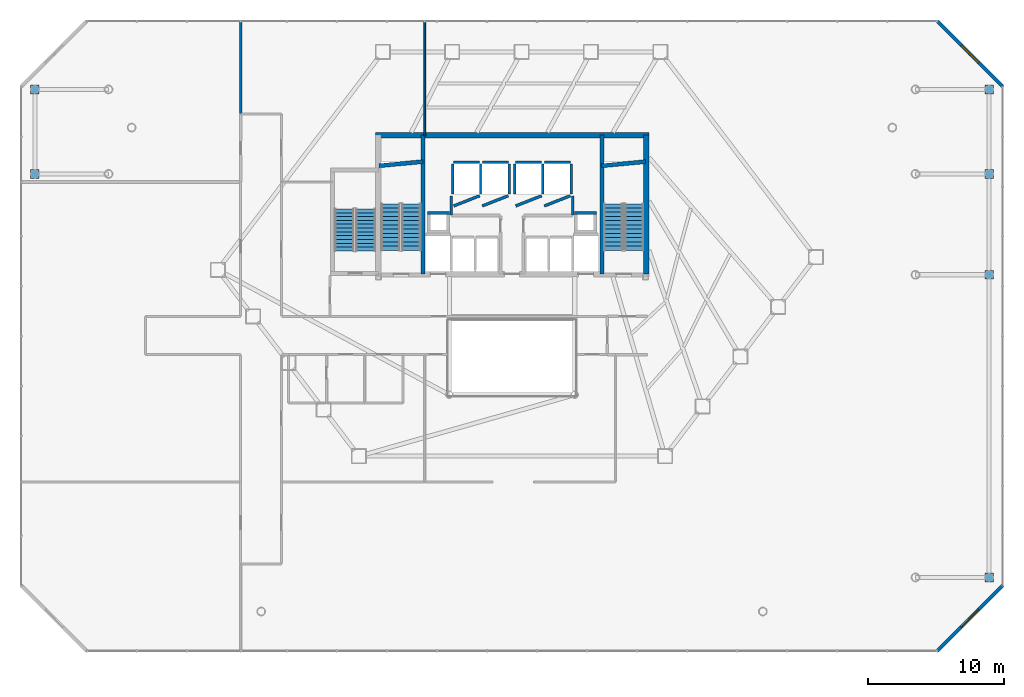
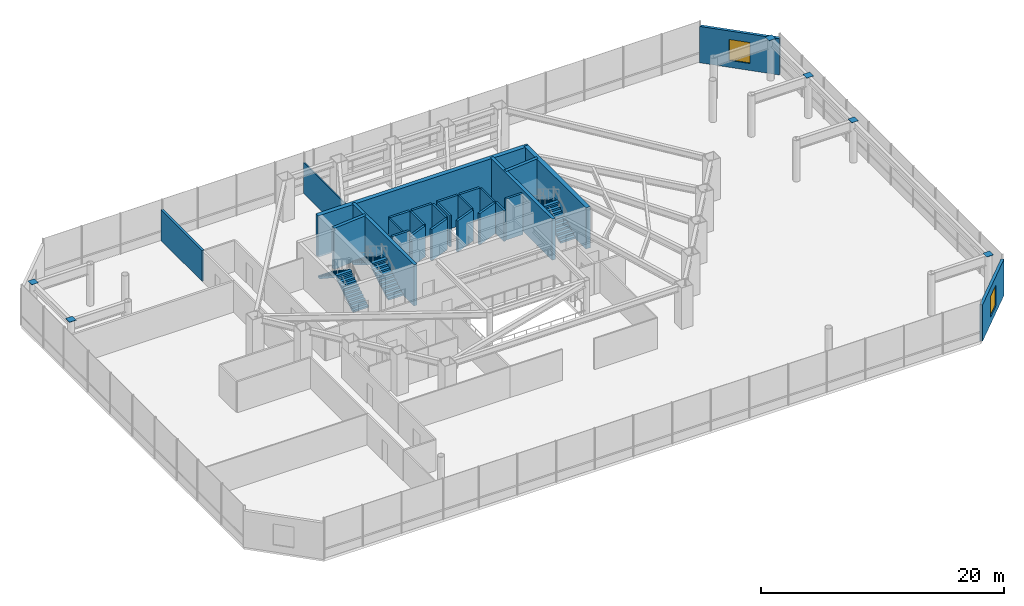
# One storey, part 36 of 37: 28 walls, 6 discrete accessories, 6 stair flights, 2 windows, 2 openings, 3 elements without a shape of their own.
"""IFC4 building model written with IfcOpenShell, lengths in metres."""

from ifc_helpers import new_model, si_unit, direction, frame, frame_2d, origin, origin_2d, place, context, subcontext, project, spatial, polyline, rectangle, outline, extrude, material, layer, layer_set, type_object, element, fill, aggregate, save


model = new_model("IFC4")

# Units and contexts
model_context = context("Model", 3, precision=1e-05, world=origin(), true_north=direction((0.0, 1.0)))
body_context = subcontext(model_context, "Body", "Model", "MODEL_VIEW")
ifc_project = project(units=[si_unit("LENGTHUNIT", "METRE"), si_unit("AREAUNIT", "SQUARE_METRE"), si_unit("VOLUMEUNIT", "CUBIC_METRE"), si_unit("PLANEANGLEUNIT", "RADIAN"), si_unit("MASSUNIT", "GRAM", prefix="KILO")], contexts=[model_context])

# Site, building, storey
site_placement = place(None, origin())
site = spatial("IfcSite", under=ifc_project, at=site_placement, CompositionType="ELEMENT")
building_placement = place(site_placement, origin())
building = spatial("IfcBuilding", under=site, at=building_placement, Name="Zarrinselat Tower", CompositionType="ELEMENT")
storey_placement = place(building_placement, frame((0.0, 0.0, 13.93994140625)))
storey = spatial("IfcBuildingStorey", under=building, at=storey_placement, Name="L03", CompositionType="ELEMENT", Elevation=13.93994140625)

# Wall, opening, window
ifc_material_1 = material(Name="Honed Cream Travertine Stone", Category="masonry")
ifc_layer_1 = layer(ifc_material_1, 0.260009765625)
ifc_layer_set_1 = layer_set([ifc_layer_1], Name="Honed Cream Travertine Stone")
wall_type_1 = type_object("IfcWallType", Name="WAL-EXT-STONE-260", PredefinedType="STANDARD", material=ifc_layer_set_1)
wall_1_placement = place(storey_placement, frame((69.60009765625, 5.60009765625, 0.0), z_axis=(0.0, 0.0, 1.0), x_axis=(0.707106781187, 0.707106781187, 0.0)))
wall_1 = element("IfcWall", 1, at=wall_1_placement, inside=storey, type_object=wall_type_1, Name="L03 Chamfered Stone Corner Wall 1", PredefinedType="STANDARD", context=body_context, shape_type="SweptSolid", body=[
    extrude(rectangle(XDim=6.787841796875, YDim=0.260009765625, at=frame_2d((3.39404296875, 0.0))), origin(), (0.0, 0.0, 1.0), 3.650146484375),
])
opening_1_placement = place(wall_1_placement, frame((2.494140625, 0.0, 0.699951171875)))
opening_1 = element("IfcOpeningElement", 2, at=opening_1_placement, cuts=wall_1, Name="Opening WN-2", PredefinedType="OPENING", context=body_context, shape_type="SweptSolid", body=[
    extrude(rectangle(XDim=1.800048828125, YDim=2.10009765625, at=frame_2d((0.89990234375, 1.050048828125))), frame((0.0, 0.139892578125, 0.0), z_axis=(0.0, -1.0, 0.0), x_axis=(1.0, 0.0, 0.0)), (0.0, 0.0, 1.0), 0.280029296875),
])
ifc_material_2 = material(Name="Double Low-E Laminated Solar Glass", Category="glass")
window_type = type_object("IfcWindowType", Name="WIN-GALLERY-1800", PartitioningType="SINGLE_PANEL", PredefinedType="WINDOW", material=ifc_material_2)
window_1_placement = place(opening_1_placement, origin())
window_1 = element("IfcWindow", 3, at=window_1_placement, inside=storey, type_object=window_type, Name="L03 Corner Gallery Window 1", OverallHeight=2.10009765625, OverallWidth=1.800048828125, PartitioningType="SINGLE_PANEL", PredefinedType="WINDOW", context=body_context, shape_type="SweptSolid", body=[
    extrude(rectangle(XDim=1.800048828125, YDim=2.10009765625, at=frame_2d((0.89990234375, 1.050048828125))), frame((0.0, 0.030029296875, 0.0), z_axis=(0.0, -1.0, 0.0), x_axis=(1.0, 0.0, 0.0)), (0.0, 0.0, 1.0), 0.06005859375),
])
fill(opening_1, window_1)

wall_2_placement = place(storey_placement, frame((69.60009765625, 51.800048828125, 0.0), z_axis=(0.0, 0.0, 1.0), x_axis=(0.707088798028, -0.707124763888, 0.0)))
wall_2 = element("IfcWall", 4, at=wall_2_placement, inside=storey, type_object=wall_type_1, Name="L03 Chamfered Stone Corner Wall 3", PredefinedType="STANDARD", context=body_context, shape_type="SweptSolid", body=[
    extrude(rectangle(XDim=6.7880859375, YDim=0.260009765625, at=frame_2d((3.39404296875, 0.0))), origin(), (0.0, 0.0, 1.0), 3.650146484375),
])
opening_2_placement = place(wall_2_placement, frame((2.494140625, 0.0, 0.699951171875)))
opening_2 = element("IfcOpeningElement", 5, at=opening_2_placement, cuts=wall_2, Name="Opening WN-2", PredefinedType="OPENING", context=body_context, shape_type="SweptSolid", body=[
    extrude(rectangle(XDim=1.800048828125, YDim=2.10009765625, at=frame_2d((0.89990234375, 1.050048828125))), frame((0.0, 0.139892578125, 0.0), z_axis=(0.0, -1.0, 0.0), x_axis=(1.0, 0.0, 0.0)), (0.0, 0.0, 1.0), 0.280029296875),
])
window_2_placement = place(opening_2_placement, origin())
window_2 = element("IfcWindow", 6, at=window_2_placement, inside=storey, type_object=window_type, Name="L03 Corner Gallery Window 3", OverallHeight=2.10009765625, OverallWidth=1.800048828125, PartitioningType="SINGLE_PANEL", PredefinedType="WINDOW", context=body_context, shape_type="SweptSolid", body=[
    extrude(rectangle(XDim=1.800048828125, YDim=2.10009765625, at=frame_2d((0.89990234375, 1.050048828125))), frame((0.0, 0.030029296875, 0.0), z_axis=(0.0, -1.0, 0.0), x_axis=(1.0, 0.0, 0.0)), (0.0, 0.0, 1.0), 0.06005859375),
])
fill(opening_2, window_2)

# Walls
ifc_material_3 = material(Name="Concrete C40/50", Category="concrete")
ifc_layer_2 = layer(ifc_material_3, 0.199951171875)
ifc_layer_set_2 = layer_set([ifc_layer_2], Name="Concrete C40/50")
wall_type_2 = type_object("IfcWallType", Name="WAL-PART-PLANT", PredefinedType="PARTITIONING", material=ifc_layer_set_2)
for number, where, z_axis, x_axis, name in (
    (7, (33.949951171875, 37.570068359375, 0.0), (0.0, 0.0, 1.0), (0.0, 1.0, 0.0), "L03 Partition Wall 3"),
    (8, (42.85009765625, 37.570068359375, 0.0), (0.0, 0.0, 1.0), (0.0, 1.0, 0.0), "L03 Partition Wall 4"),
):
    element("IfcWall", number, at=place(storey_placement, frame(where, z_axis=z_axis, x_axis=x_axis)), inside=storey, type_object=wall_type_2, Name=name, PredefinedType="PARTITIONING", context=body_context, shape_type="SweptSolid", body=[
        extrude(rectangle(XDim=1.4150390625, YDim=0.199951171875, at=frame_2d((0.70751953125, 0.0))), origin(), (0.0, 0.0, 1.0), 3.09716796875),
    ])
wall_3_placement = place(storey_placement, frame((18.5, 45.02001953125, 0.0), z_axis=(0.0, 0.0, 1.0), x_axis=(0.0, 1.0, 0.0)))
element("IfcWall", 9, at=wall_3_placement, inside=storey, type_object=wall_type_2, Name="L03 Partition Wall 53", PredefinedType="PARTITIONING", context=body_context, shape_type="SweptSolid", body=[
    extrude(rectangle(XDim=6.764892578125, YDim=0.199951171875, at=frame_2d((3.38232421875, 0.0))), origin(), (0.0, 0.0, 1.0), 3.09716796875),
])
ifc_material_4 = material(Name="Fire-Rated Gypsum Board Partition", Category="gypsum")
ifc_layer_3 = layer(ifc_material_4, 0.1201171875)
ifc_layer_set_3 = layer_set([ifc_layer_3], Name="Fire-Rated Gypsum Board Partition")
wall_type_3 = type_object("IfcWallType", Name="WAL-PART-STD", PredefinedType="PARTITIONING", material=ifc_layer_set_3)
wall_4_placement = place(storey_placement, frame((32.0, 43.4150390625, 0.0), z_axis=(0.0, 0.0, 1.0), x_axis=(0.0, 1.0, 0.0)))
element("IfcWall", 10, at=wall_4_placement, inside=storey, type_object=wall_type_3, Name="L03 Partition Wall 48", PredefinedType="PARTITIONING", context=body_context, shape_type="SweptSolid", body=[
    extrude(rectangle(XDim=8.369873046875, YDim=0.1201171875, at=frame_2d((4.18505859375, 0.0))), origin(), (0.0, 0.0, 1.0), 3.09716796875),
])
ifc_material_5 = material(Name="Concrete C40/50", Category="concrete")
ifc_layer_4 = layer(ifc_material_5, 0.2099609375)
ifc_layer_set_4 = layer_set([ifc_layer_4], Name="Concrete C40/50")
wall_type_4 = type_object("IfcWallType", Name="WAL-SHAFT-210", PredefinedType="SOLIDWALL", material=ifc_layer_set_4)
wall_5_placement = place(storey_placement, frame((34.1201171875, 38.25, 0.0), z_axis=(0.0, 0.0, 1.0), x_axis=(0.930804993012, 0.36551616241, 0.0)))
element("IfcWall", 11, at=wall_5_placement, inside=storey, type_object=wall_type_4, Name="L03 Lift PL1 Front Shaft Wall", PredefinedType="SOLIDWALL", context=body_context, shape_type="SweptSolid", body=[
    extrude(rectangle(XDim=2.052001953125, YDim=0.2099609375, at=frame_2d((1.02587890625, 0.0))), origin(), (0.0, 0.0, 1.0), 3.112060546875),
])
wall_6_placement = place(storey_placement, frame((34.1201171875, 41.455078125, 0.0), z_axis=(0.0, 0.0, 1.0), x_axis=(1.0, 0.0, 0.0)))
element("IfcWall", 12, at=wall_6_placement, inside=storey, type_object=wall_type_4, Name="L03 Lift PL1 Rear Shaft Wall", PredefinedType="SOLIDWALL", context=body_context, shape_type="SweptSolid", body=[
    extrude(rectangle(XDim=1.909912109375, YDim=0.2099609375, at=frame_2d((0.955078125, 0.0))), origin(), (0.0, 0.0, 1.0), 3.112060546875),
])
for number, where, z_axis, x_axis, name in (
    (13, (34.050048828125, 39.1201171875, 0.0), (0.0, 0.0, 1.0), (0.0, 1.0, 0.0), "L03 Lift PL1 W Shaft Wall"),
    (14, (36.10009765625, 39.1201171875, 0.0), (0.0, 0.0, 1.0), (0.0, 1.0, 0.0), "L03 Lift PL1 E Shaft Wall"),
):
    element("IfcWall", number, at=place(storey_placement, frame(where, z_axis=z_axis, x_axis=x_axis)), inside=storey, type_object=wall_type_4, Name=name, PredefinedType="SOLIDWALL", context=body_context, shape_type="SweptSolid", body=[
        extrude(rectangle(XDim=2.2099609375, YDim=0.159912109375, at=frame_2d((1.10498046875, 0.0))), origin(), (0.0, 0.0, 1.0), 3.112060546875),
    ])
wall_7_placement = place(storey_placement, frame((36.219970703125, 38.25, 0.0), z_axis=(0.0, 0.0, 1.0), x_axis=(0.930804993012, 0.36551616241, 0.0)))
element("IfcWall", 15, at=wall_7_placement, inside=storey, type_object=wall_type_4, Name="L03 Lift PL2 Front Shaft Wall", PredefinedType="SOLIDWALL", context=body_context, shape_type="SweptSolid", body=[
    extrude(rectangle(XDim=2.052001953125, YDim=0.2099609375, at=frame_2d((1.02587890625, 0.0))), origin(), (0.0, 0.0, 1.0), 3.112060546875),
])
wall_8_placement = place(storey_placement, frame((36.219970703125, 41.455078125, 0.0), z_axis=(0.0, 0.0, 1.0), x_axis=(1.0, 0.0, 0.0)))
element("IfcWall", 16, at=wall_8_placement, inside=storey, type_object=wall_type_4, Name="L03 Lift PL2 Rear Shaft Wall", PredefinedType="SOLIDWALL", context=body_context, shape_type="SweptSolid", body=[
    extrude(rectangle(XDim=1.909912109375, YDim=0.2099609375, at=frame_2d((0.955078125, 0.0))), origin(), (0.0, 0.0, 1.0), 3.112060546875),
])
wall_9_placement = place(storey_placement, frame((38.199951171875, 39.1201171875, 0.0), z_axis=(0.0, 0.0, 1.0), x_axis=(0.0, 1.0, 0.0)))
element("IfcWall", 17, at=wall_9_placement, inside=storey, type_object=wall_type_4, Name="L03 Lift PL2 E Shaft Wall", PredefinedType="SOLIDWALL", context=body_context, shape_type="SweptSolid", body=[
    extrude(rectangle(XDim=2.2099609375, YDim=0.159912109375, at=frame_2d((1.10498046875, 0.0))), origin(), (0.0, 0.0, 1.0), 3.112060546875),
])
wall_10_placement = place(storey_placement, frame((38.669921875, 38.25, 0.0), z_axis=(0.0, 0.0, 1.0), x_axis=(0.930820886763, 0.3654756856, 0.0)))
element("IfcWall", 18, at=wall_10_placement, inside=storey, type_object=wall_type_4, Name="L03 Lift PL3 Front Shaft Wall", PredefinedType="SOLIDWALL", context=body_context, shape_type="SweptSolid", body=[
    extrude(rectangle(XDim=2.052001953125, YDim=0.2099609375, at=frame_2d((1.02587890625, 0.0))), origin(), (0.0, 0.0, 1.0), 3.112060546875),
])
wall_11_placement = place(storey_placement, frame((38.669921875, 41.455078125, 0.0), z_axis=(0.0, 0.0, 1.0), x_axis=(1.0, 0.0, 0.0)))
element("IfcWall", 19, at=wall_11_placement, inside=storey, type_object=wall_type_4, Name="L03 Lift PL3 Rear Shaft Wall", PredefinedType="SOLIDWALL", context=body_context, shape_type="SweptSolid", body=[
    extrude(rectangle(XDim=1.91015625, YDim=0.2099609375, at=frame_2d((0.955078125, 0.0))), origin(), (0.0, 0.0, 1.0), 3.112060546875),
])
for number, where, z_axis, x_axis, name in (
    (20, (38.60009765625, 39.1201171875, 0.0), (0.0, 0.0, 1.0), (0.0, 1.0, 0.0), "L03 Lift PL3 W Shaft Wall"),
    (21, (40.64990234375, 39.1201171875, 0.0), (0.0, 0.0, 1.0), (0.0, 1.0, 0.0), "L03 Lift PL3 E Shaft Wall"),
):
    element("IfcWall", number, at=place(storey_placement, frame(where, z_axis=z_axis, x_axis=x_axis)), inside=storey, type_object=wall_type_4, Name=name, PredefinedType="SOLIDWALL", context=body_context, shape_type="SweptSolid", body=[
        extrude(rectangle(XDim=2.2099609375, YDim=0.159912109375, at=frame_2d((1.10498046875, 0.0))), origin(), (0.0, 0.0, 1.0), 3.112060546875),
    ])
wall_12_placement = place(storey_placement, frame((40.77001953125, 38.25, 0.0), z_axis=(0.0, 0.0, 1.0), x_axis=(0.930804993012, 0.36551616241, 0.0)))
element("IfcWall", 22, at=wall_12_placement, inside=storey, type_object=wall_type_4, Name="L03 Lift PL4 Front Shaft Wall", PredefinedType="SOLIDWALL", context=body_context, shape_type="SweptSolid", body=[
    extrude(rectangle(XDim=2.052001953125, YDim=0.2099609375, at=frame_2d((1.02587890625, 0.0))), origin(), (0.0, 0.0, 1.0), 3.112060546875),
])
wall_13_placement = place(storey_placement, frame((40.77001953125, 41.455078125, 0.0), z_axis=(0.0, 0.0, 1.0), x_axis=(1.0, 0.0, 0.0)))
element("IfcWall", 23, at=wall_13_placement, inside=storey, type_object=wall_type_4, Name="L03 Lift PL4 Rear Shaft Wall", PredefinedType="SOLIDWALL", context=body_context, shape_type="SweptSolid", body=[
    extrude(rectangle(XDim=1.909912109375, YDim=0.2099609375, at=frame_2d((0.955078125, 0.0))), origin(), (0.0, 0.0, 1.0), 3.112060546875),
])
wall_14_placement = place(storey_placement, frame((42.75, 39.1201171875, 0.0), z_axis=(0.0, 0.0, 1.0), x_axis=(0.0, 1.0, 0.0)))
element("IfcWall", 24, at=wall_14_placement, inside=storey, type_object=wall_type_4, Name="L03 Lift PL4 E Shaft Wall", PredefinedType="SOLIDWALL", context=body_context, shape_type="SweptSolid", body=[
    extrude(rectangle(XDim=2.2099609375, YDim=0.159912109375, at=frame_2d((1.10498046875, 0.0))), origin(), (0.0, 0.0, 1.0), 3.112060546875),
])
for number, where, z_axis, x_axis, name in (
    (25, (32.2099609375, 37.7451171875, 0.0), (0.0, 0.0, 1.0), (1.0, 0.0, 0.0), "L03 Core Riser RSR-W N Shaft Wall"),
    (26, (42.989990234375, 37.7451171875, 0.0), (0.0, 0.0, 1.0), (1.0, 0.0, 0.0), "L03 Core Riser RSR-E N Shaft Wall"),
):
    element("IfcWall", number, at=place(storey_placement, frame(where, z_axis=z_axis, x_axis=x_axis)), inside=storey, type_object=wall_type_4, Name=name, PredefinedType="SOLIDWALL", context=body_context, shape_type="SweptSolid", body=[
        extrude(rectangle(XDim=1.60009765625, YDim=0.2099609375, at=frame_2d((0.800048828125, 0.0))), origin(), (0.0, 0.0, 1.0), 4.14013671875),
    ])
ifc_material_6 = material(Name="Concrete C40/50", Category="concrete")
ifc_layer_5 = layer(ifc_material_6, 0.300048828125)
ifc_layer_set_5 = layer_set([ifc_layer_5], Name="Concrete C40/50")
wall_type_5 = type_object("IfcWallType", Name="WAL-SHEAR-300", PredefinedType="SHEAR", material=ifc_layer_set_5)
for number, where, z_axis, x_axis, name in (
    (27, (31.8701171875, 33.25, 0.0), (0.0, 0.0, 1.0), (0.0, 1.0, 0.0), "L03 Core Shear Wall ST1E"),
    (28, (44.989990234375, 33.25, 0.0), (0.0, 0.0, 1.0), (0.0, 1.0, 0.0), "L03 Core Shear Wall ST2W"),
):
    element("IfcWall", number, at=place(storey_placement, frame(where, z_axis=z_axis, x_axis=x_axis)), inside=storey, type_object=wall_type_5, Name=name, PredefinedType="SHEAR", context=body_context, shape_type="SweptSolid", body=[
        extrude(rectangle(XDim=10.199951171875, YDim=0.300048828125, at=frame_2d((5.10009765625, 0.0))), origin(), (0.0, 0.0, 1.0), 4.14013671875),
    ])
wall_15_placement = place(storey_placement, frame((28.639892578125, 41.199951171875, 0.0), z_axis=(0.0, 0.0, 1.0), x_axis=(0.995687118776, 0.092774789157, 0.0)))
element("IfcWall", 29, at=wall_15_placement, inside=storey, type_object=wall_type_5, Name="L03 Stair 1 North Shaft Wall", PredefinedType="SHEAR", context=body_context, shape_type="SweptSolid", body=[
    extrude(rectangle(XDim=3.234130859375, YDim=0.300048828125, at=frame_2d((1.6171875, 0.0))), origin(), (0.0, 0.0, 1.0), 4.14013671875),
])
wall_16_placement = place(storey_placement, frame((44.97998046875, 41.199951171875, 0.0), z_axis=(0.0, 0.0, 1.0), x_axis=(0.995686468965, 0.09278176286, 0.0)))
element("IfcWall", 30, at=wall_16_placement, inside=storey, type_object=wall_type_5, Name="L03 Stair 2 North Shaft Wall", PredefinedType="SHEAR", context=body_context, shape_type="SweptSolid", body=[
    extrude(rectangle(XDim=3.23388671875, YDim=0.300048828125, at=frame_2d((1.616943359375, 0.0))), origin(), (0.0, 0.0, 1.0), 4.14013671875),
])
ifc_material_7 = material(Name="Concrete C60/75", Category="concrete")
ifc_layer_6 = layer(ifc_material_7, 0.39990234375)
ifc_layer_set_6 = layer_set([ifc_layer_6], Name="Concrete C60/75")
wall_type_6 = type_object("IfcWallType", Name="WAL-SHEAR-400", PredefinedType="SHEAR", material=ifc_layer_set_6)
wall_17_placement = place(storey_placement, frame((28.39990234375, 43.449951171875, 0.0), z_axis=(0.0, 0.0, 1.0), x_axis=(1.0, 0.0, 0.0)))
element("IfcWall", 31, at=wall_17_placement, inside=storey, type_object=wall_type_6, Name="L03 North Core Shear Wall", PredefinedType="SHEAR", context=body_context, shape_type="SweptSolid", body=[
    extrude(rectangle(XDim=20.06005859375, YDim=0.39990234375, at=frame_2d((10.030029296875, 0.0))), origin(), (0.0, 0.0, 1.0), 4.14013671875),
])
wall_18_placement = place(storey_placement, frame((48.260009765625, 33.25, 0.0), z_axis=(0.0, 0.0, 1.0), x_axis=(0.0, 1.0, 0.0)))
element("IfcWall", 32, at=wall_18_placement, inside=storey, type_object=wall_type_6, Name="L03 Core Shear Wall E", PredefinedType="SHEAR", context=body_context, shape_type="SweptSolid", body=[
    extrude(rectangle(XDim=10.199951171875, YDim=0.39990234375, at=frame_2d((5.10009765625, 0.0))), origin(), (0.0, 0.0, 1.0), 4.14013671875),
])

# Stair, stair flights
ifc_material_8 = material(Name="Concrete C40/50", Category="concrete")
stair_type_1 = type_object("IfcStairType", Name="STR-CORE-145", PredefinedType="HALF_TURN_STAIR", material=ifc_material_8)
stair_1_placement = place(storey_placement, origin())
stair_1 = element("IfcStair", 33, at=stair_1_placement, inside=storey, type_object=stair_type_1, Name="L03 Podium & Mid-Tower Exit Stair 3", PredefinedType="HALF_TURN_STAIR")
ifc_material_9 = material(Name="Concrete C40/50", Category="concrete")
stair_flight_type_1 = type_object("IfcStairFlightType", Name="STR-FLT-145", PredefinedType="STRAIGHT", material=ifc_material_9)
stair_flight_1_placement = place(storey_placement, frame((27.675048828125, 34.949951171875, 0.0), z_axis=(0.0, 0.0, 1.0), x_axis=(0.0, 1.0, 0.0)))
stair_flight_1 = element("IfcStairFlight", 34, at=stair_flight_1_placement, type_object=stair_flight_type_1, Name="ST-3 flight 1", NumberOfRisers=12, NumberOfTreads=11, PredefinedType="STRAIGHT", RiserHeight=0.184166667, TreadLength=0.28, context=body_context, shape_type="SweptSolid", body=[
    extrude(outline(polyline([(0.0, 0.0), (0.0, 0.18408203125), (0.280029296875, 0.18408203125), (0.280029296875, 0.368408203125), (0.56005859375, 0.368408203125), (0.56005859375, 0.552490234375), (0.840087890625, 0.552490234375), (0.840087890625, 0.736572265625), (1.1201171875, 0.736572265625), (1.1201171875, 0.9208984375), (1.39990234375, 0.9208984375), (1.39990234375, 1.10498046875), (1.679931640625, 1.10498046875), (1.679931640625, 1.2890625), (1.9599609375, 1.2890625), (1.9599609375, 1.473388671875), (2.239990234375, 1.473388671875), (2.239990234375, 1.657470703125), (2.52001953125, 1.657470703125), (2.52001953125, 1.841552734375), (2.800048828125, 1.841552734375), (2.800048828125, 2.02587890625), (3.080078125, 2.02587890625), (3.080078125, 2.2099609375), (3.080078125, 1.846435546875), (0.272705078125, 0.0), (0.0, 0.0)])), frame((0.0, 0.72509765625, 0.0), z_axis=(0.0, -1.0, 0.0), x_axis=(1.0, 0.0, 0.0)), (0.0, 0.0, 1.0), 1.449951171875),
])
stair_flight_2_placement = place(storey_placement, frame((26.10498046875, 38.030029296875, 2.2099609375), z_axis=(0.0, 0.0, 1.0), x_axis=(0.0, -1.0, 0.0)))
stair_flight_2 = element("IfcStairFlight", 35, at=stair_flight_2_placement, type_object=stair_flight_type_1, Name="ST-3 flight 2", NumberOfRisers=12, NumberOfTreads=11, PredefinedType="STRAIGHT", RiserHeight=0.184166667, TreadLength=0.28, context=body_context, shape_type="SweptSolid", body=[
    extrude(outline(polyline([(0.0, 0.0), (0.0, 0.18408203125), (0.280029296875, 0.18408203125), (0.280029296875, 0.368408203125), (0.56005859375, 0.368408203125), (0.56005859375, 0.552490234375), (0.840087890625, 0.552490234375), (0.840087890625, 0.736572265625), (1.1201171875, 0.736572265625), (1.1201171875, 0.9208984375), (1.39990234375, 0.9208984375), (1.39990234375, 1.10498046875), (1.679931640625, 1.10498046875), (1.679931640625, 1.2890625), (1.9599609375, 1.2890625), (1.9599609375, 1.473388671875), (2.239990234375, 1.473388671875), (2.239990234375, 1.657470703125), (2.52001953125, 1.657470703125), (2.52001953125, 1.841552734375), (2.800048828125, 1.841552734375), (2.800048828125, 2.02587890625), (3.080078125, 2.02587890625), (3.080078125, 2.2099609375), (3.080078125, 1.846435546875), (0.272705078125, 0.0), (0.0, 0.0)])), frame((0.0, 0.72509765625, 0.0), z_axis=(0.0, -1.0, 0.0), x_axis=(1.0, 0.0, 0.0)), (0.0, 0.0, 1.0), 1.449951171875),
])
aggregate(stair_1, [stair_flight_1, stair_flight_2])

ifc_material_10 = material(Name="Concrete C40/50", Category="concrete")
stair_type_2 = type_object("IfcStairType", Name="STR-CORE-155", PredefinedType="HALF_TURN_STAIR", material=ifc_material_10)
stair_2_placement = place(storey_placement, origin())
stair_2 = element("IfcStair", 36, at=stair_2_placement, inside=storey, type_object=stair_type_2, Name="L03 Core Exit Stair 1", PredefinedType="HALF_TURN_STAIR")
ifc_material_11 = material(Name="Concrete C40/50", Category="concrete")
stair_flight_type_2 = type_object("IfcStairFlightType", Name="STR-FLT-155", PredefinedType="STRAIGHT", material=ifc_material_11)
stair_flight_3_placement = place(storey_placement, frame((31.02001953125, 35.0, 0.0), z_axis=(0.0, 0.0, 1.0), x_axis=(0.0, 1.0, 0.0)))
stair_flight_3 = element("IfcStairFlight", 37, at=stair_flight_3_placement, type_object=stair_flight_type_2, Name="ST-1 flight 1", NumberOfRisers=12, NumberOfTreads=11, PredefinedType="STRAIGHT", RiserHeight=0.184166667, TreadLength=0.31, context=body_context, shape_type="SweptSolid", body=[
    extrude(outline(polyline([(0.0, 0.0), (0.0, 0.18408203125), (0.31005859375, 0.18408203125), (0.31005859375, 0.368408203125), (0.6201171875, 0.368408203125), (0.6201171875, 0.552490234375), (0.929931640625, 0.552490234375), (0.929931640625, 0.736572265625), (1.239990234375, 0.736572265625), (1.239990234375, 0.9208984375), (1.550048828125, 0.9208984375), (1.550048828125, 1.10498046875), (1.860107421875, 1.10498046875), (1.860107421875, 1.2890625), (2.169921875, 1.2890625), (2.169921875, 1.473388671875), (2.47998046875, 1.473388671875), (2.47998046875, 1.657470703125), (2.7900390625, 1.657470703125), (2.7900390625, 1.841552734375), (3.10009765625, 1.841552734375), (3.10009765625, 2.02587890625), (3.409912109375, 2.02587890625), (3.409912109375, 2.2099609375), (3.409912109375, 1.8515625), (0.29345703125, 0.0), (0.0, 0.0)])), frame((0.0, 0.699951171875, 0.0), z_axis=(0.0, -1.0, 0.0), x_axis=(1.0, 0.0, 0.0)), (0.0, 0.0, 1.0), 1.39990234375),
])
stair_flight_4_placement = place(storey_placement, frame((29.5, 38.409912109375, 2.2099609375), z_axis=(0.0, 0.0, 1.0), x_axis=(0.0, -1.0, 0.0)))
stair_flight_4 = element("IfcStairFlight", 38, at=stair_flight_4_placement, type_object=stair_flight_type_2, Name="ST-1 flight 2", NumberOfRisers=12, NumberOfTreads=11, PredefinedType="STRAIGHT", RiserHeight=0.184166667, TreadLength=0.31, context=body_context, shape_type="SweptSolid", body=[
    extrude(outline(polyline([(0.0, 0.0), (0.0, 0.18408203125), (0.31005859375, 0.18408203125), (0.31005859375, 0.368408203125), (0.6201171875, 0.368408203125), (0.6201171875, 0.552490234375), (0.929931640625, 0.552490234375), (0.929931640625, 0.736572265625), (1.239990234375, 0.736572265625), (1.239990234375, 0.9208984375), (1.550048828125, 0.9208984375), (1.550048828125, 1.10498046875), (1.860107421875, 1.10498046875), (1.860107421875, 1.2890625), (2.169921875, 1.2890625), (2.169921875, 1.473388671875), (2.47998046875, 1.473388671875), (2.47998046875, 1.657470703125), (2.7900390625, 1.657470703125), (2.7900390625, 1.841552734375), (3.10009765625, 1.841552734375), (3.10009765625, 2.02587890625), (3.409912109375, 2.02587890625), (3.409912109375, 2.2099609375), (3.409912109375, 1.8515625), (0.29345703125, 0.0), (0.0, 0.0)])), frame((0.0, 0.699951171875, 0.0), z_axis=(0.0, -1.0, 0.0), x_axis=(1.0, 0.0, 0.0)), (0.0, 0.0, 1.0), 1.39990234375),
])
aggregate(stair_2, [stair_flight_3, stair_flight_4])

stair_3_placement = place(storey_placement, origin())
stair_3 = element("IfcStair", 39, at=stair_3_placement, inside=storey, type_object=stair_type_2, Name="L03 Core Exit Stair 2", PredefinedType="HALF_TURN_STAIR")
stair_flight_5_placement = place(storey_placement, frame((47.360107421875, 35.0, 0.0), z_axis=(0.0, 0.0, 1.0), x_axis=(0.0, 1.0, 0.0)))
stair_flight_5 = element("IfcStairFlight", 40, at=stair_flight_5_placement, type_object=stair_flight_type_2, Name="ST-2 flight 1", NumberOfRisers=12, NumberOfTreads=11, PredefinedType="STRAIGHT", RiserHeight=0.184166667, TreadLength=0.31, context=body_context, shape_type="SweptSolid", body=[
    extrude(outline(polyline([(0.0, 0.0), (0.0, 0.18408203125), (0.31005859375, 0.18408203125), (0.31005859375, 0.368408203125), (0.6201171875, 0.368408203125), (0.6201171875, 0.552490234375), (0.929931640625, 0.552490234375), (0.929931640625, 0.736572265625), (1.239990234375, 0.736572265625), (1.239990234375, 0.9208984375), (1.550048828125, 0.9208984375), (1.550048828125, 1.10498046875), (1.860107421875, 1.10498046875), (1.860107421875, 1.2890625), (2.169921875, 1.2890625), (2.169921875, 1.473388671875), (2.47998046875, 1.473388671875), (2.47998046875, 1.657470703125), (2.7900390625, 1.657470703125), (2.7900390625, 1.841552734375), (3.10009765625, 1.841552734375), (3.10009765625, 2.02587890625), (3.409912109375, 2.02587890625), (3.409912109375, 2.2099609375), (3.409912109375, 1.8515625), (0.29345703125, 0.0), (0.0, 0.0)])), frame((0.0, 0.699951171875, 0.0), z_axis=(0.0, -1.0, 0.0), x_axis=(1.0, 0.0, 0.0)), (0.0, 0.0, 1.0), 1.39990234375),
])
stair_flight_6_placement = place(storey_placement, frame((45.840087890625, 38.409912109375, 2.2099609375), z_axis=(0.0, 0.0, 1.0), x_axis=(0.0, -1.0, 0.0)))
stair_flight_6 = element("IfcStairFlight", 41, at=stair_flight_6_placement, type_object=stair_flight_type_2, Name="ST-2 flight 2", NumberOfRisers=12, NumberOfTreads=11, PredefinedType="STRAIGHT", RiserHeight=0.184166667, TreadLength=0.31, context=body_context, shape_type="SweptSolid", body=[
    extrude(outline(polyline([(0.0, 0.0), (0.0, 0.18408203125), (0.31005859375, 0.18408203125), (0.31005859375, 0.368408203125), (0.6201171875, 0.368408203125), (0.6201171875, 0.552490234375), (0.929931640625, 0.552490234375), (0.929931640625, 0.736572265625), (1.239990234375, 0.736572265625), (1.239990234375, 0.9208984375), (1.550048828125, 0.9208984375), (1.550048828125, 1.10498046875), (1.860107421875, 1.10498046875), (1.860107421875, 1.2890625), (2.169921875, 1.2890625), (2.169921875, 1.473388671875), (2.47998046875, 1.473388671875), (2.47998046875, 1.657470703125), (2.7900390625, 1.657470703125), (2.7900390625, 1.841552734375), (3.10009765625, 1.841552734375), (3.10009765625, 2.02587890625), (3.409912109375, 2.02587890625), (3.409912109375, 2.2099609375), (3.409912109375, 1.8515625), (0.29345703125, 0.0), (0.0, 0.0)])), frame((0.0, 0.699951171875, 0.0), z_axis=(0.0, -1.0, 0.0), x_axis=(1.0, 0.0, 0.0)), (0.0, 0.0, 1.0), 1.39990234375),
])
aggregate(stair_3, [stair_flight_5, stair_flight_6])

# Discrete accessories
ifc_material_12 = material(Name="Steel S460M", Category="steel")
discrete_accessory_type = type_object("IfcDiscreteAccessoryType", Name="ACC-BRACE-END", PredefinedType="BRACKET", material=ifc_material_12)
for number, where, z_axis, x_axis, name in (
    (42, (3.39990234375, 40.60009765625, 4.10888671875), (0.0, 0.0, 1.0), (1.0, 0.0, 0.0), "L03 Podium Outer Column W-40 Top Cap"),
    (43, (3.39990234375, 46.800048828125, 4.10888671875), (0.0, 0.0, 1.0), (1.0, 0.0, 0.0), "L03 Podium Outer Column W-46 Top Cap"),
    (44, (73.39990234375, 11.0, 4.10888671875), (0.0, 0.0, 1.0), (1.0, 0.0, 0.0), "L03 Podium Outer Column E-11 Top Cap"),
    (45, (73.39990234375, 33.199951171875, 4.10888671875), (0.0, 0.0, 1.0), (1.0, 0.0, 0.0), "L03 Podium Outer Column E-33 Top Cap"),
    (46, (73.39990234375, 40.60009765625, 4.10888671875), (0.0, 0.0, 1.0), (1.0, 0.0, 0.0), "L03 Podium Outer Column E-40 Top Cap"),
    (47, (73.39990234375, 46.800048828125, 4.10888671875), (0.0, 0.0, 1.0), (1.0, 0.0, 0.0), "L03 Podium Outer Column E-46 Top Cap"),
):
    element("IfcDiscreteAccessory", number, at=place(storey_placement, frame(where, z_axis=z_axis, x_axis=x_axis)), inside=storey, type_object=discrete_accessory_type, Name=name, PredefinedType="BRACKET", context=body_context, shape_type="SweptSolid", body=[
        extrude(rectangle(XDim=0.639892578125, YDim=0.639892578125, at=origin_2d()), origin(), (0.0, 0.0, 1.0), 0.031982421875),
    ])

save(model, "model.ifc")
